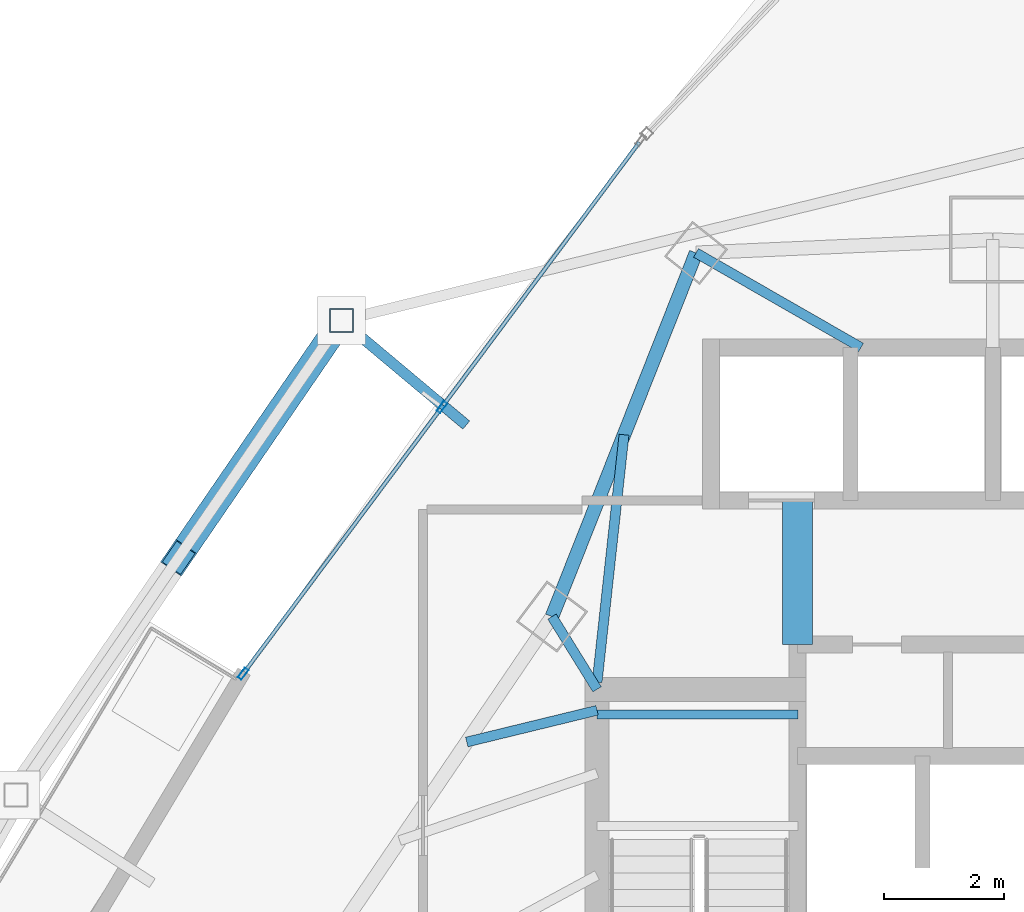
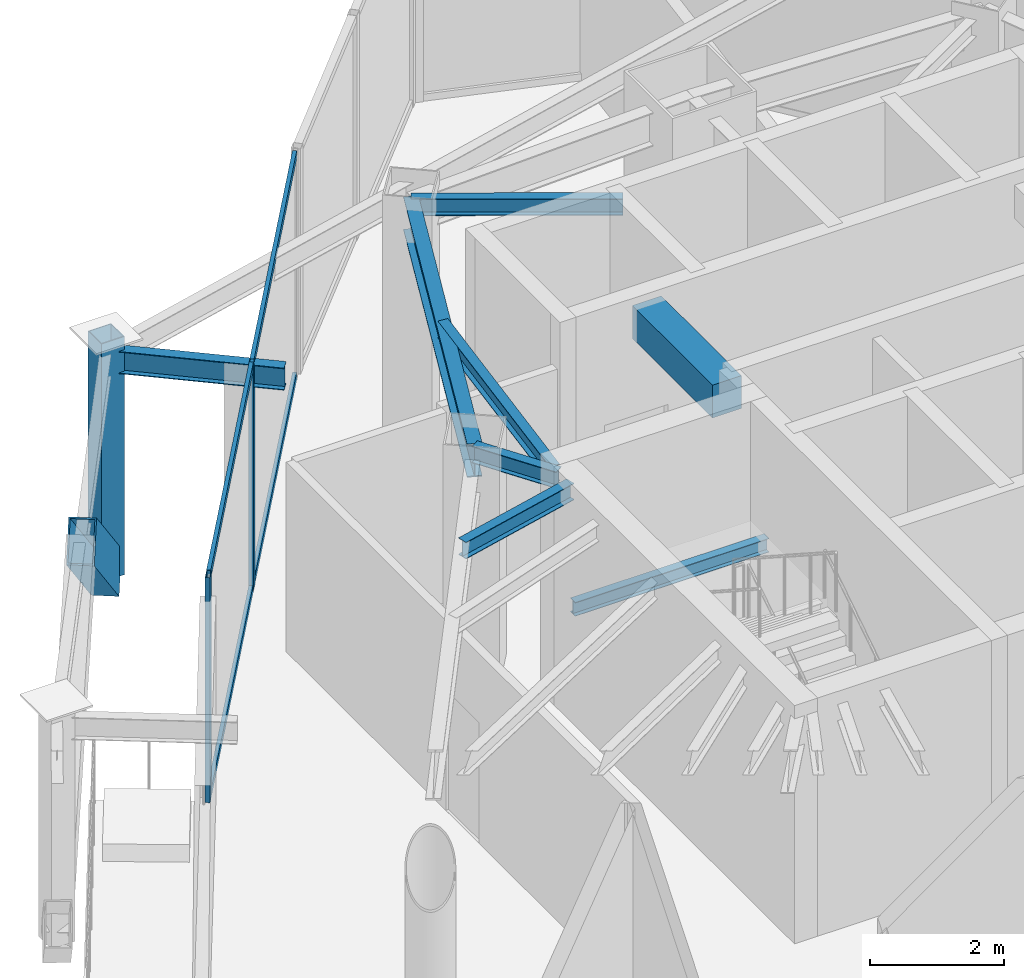
# One storey, part 18 of 28: 8 beams, 8 members, 1 element without a shape of its own.
"""IFC4 building model written with IfcOpenShell, lengths in metres."""

from ifc_helpers import new_model, si_unit, direction, frame, origin, origin_2d, place, context, subcontext, project, spatial, rectangle, hollow_rectangle, i_section, extrude, material, layer, layer_set, material_profile, profile_set, type_object, element, aggregate, save


model = new_model("IFC4")

# Units and contexts
model_context = context("Model", 3, precision=1e-05, world=origin(), true_north=direction((0.0, 1.0)))
body_context = subcontext(model_context, "Body", "Model", "MODEL_VIEW")
ifc_project = project(units=[si_unit("LENGTHUNIT", "METRE"), si_unit("AREAUNIT", "SQUARE_METRE"), si_unit("VOLUMEUNIT", "CUBIC_METRE"), si_unit("PLANEANGLEUNIT", "RADIAN"), si_unit("MASSUNIT", "GRAM", prefix="KILO")], contexts=[model_context])

# Site, building, storey
site_placement = place(None, origin())
site = spatial("IfcSite", under=ifc_project, at=site_placement, CompositionType="ELEMENT")
building_placement = place(site_placement, origin())
building = spatial("IfcBuilding", under=site, at=building_placement, Name="Orvanel Arch Residences", CompositionType="ELEMENT")
storey_placement = place(building_placement, frame((0.0, 0.0, 146.300048828125)))
storey = spatial("IfcBuildingStorey", under=building, at=storey_placement, Name="L41", CompositionType="ELEMENT", Elevation=146.300048828125)

# Beams
ifc_material_1 = material(Name="Structural steel AS/NZS 3679.1 Grade 300 (300 MPa)", Category="steel")
ifc_material_profile_1 = material_profile(ifc_material_1, i_section(OverallWidth=0.14599609375, OverallDepth=0.251953125, WebThickness=0.006103515625, FlangeThickness=0.008544921875, at=origin_2d()), Name="250UB31.4")
ifc_profile_set_1 = profile_set([ifc_material_profile_1], Name="Structural steel AS/NZS 3679.1 Grade 300 (300 MPa)")
beam_type_1 = type_object("IfcBeamType", Name="BJ-250UB", PredefinedType="JOIST", material=ifc_profile_set_1)
beam_1_placement = place(storey_placement, frame((26.39990234375, 33.47998046875, 1.848876953125), z_axis=(1.0, 0.0, 0.0), x_axis=(0.0, 1.0, 0.0)))
element("IfcBeam", 1, at=beam_1_placement, inside=storey, type_object=beam_type_1, Name="L41 ST-1 Half-Landing Support Beam 1.2", PredefinedType="JOIST", context=body_context, shape_type="SweptSolid", body=[
    extrude(i_section(OverallWidth=0.14599609375, OverallDepth=0.251953125, WebThickness=0.006103515625, FlangeThickness=0.008544921875, at=origin_2d()), origin(), (0.0, 0.0, 1.0), 3.35009765625),
])
ifc_material_profile_2 = material_profile(ifc_material_1, i_section(OverallWidth=0.1650390625, OverallDepth=0.303955078125, WebThickness=0.006103515625, FlangeThickness=0.01025390625, at=origin_2d()), Name="310UB40.4")
ifc_profile_set_2 = profile_set([ifc_material_profile_2], Name="Structural steel AS/NZS 3679.1 Grade 300 (300 MPa)")
beam_type_2 = type_object("IfcBeamType", Name="BJ-310UB", PredefinedType="JOIST", material=ifc_profile_set_2)
beam_2_placement = place(storey_placement, frame((26.39990234375, 33.89990234375, 3.9580078125), z_axis=(-0.526843290616, 0.84996243866, 0.0), x_axis=(-0.84996243866, -0.526843290616, 0.0)))
element("IfcBeam", 2, at=beam_2_placement, inside=storey, type_object=beam_type_2, Name="L41 NNW Wing Floor Joist", PredefinedType="JOIST", context=body_context, shape_type="SweptSolid", body=[
    extrude(i_section(OverallWidth=0.1650390625, OverallDepth=0.303955078125, WebThickness=0.006103515625, FlangeThickness=0.01025390625, at=origin_2d()), origin(), (0.0, 0.0, 1.0), 1.42724609375),
])
beam_3_placement = place(storey_placement, frame((26.39990234375, 34.02001953125, 3.9580078125), z_axis=(0.108261441852, 0.99412245735, 0.0), x_axis=(-0.99412245735, 0.108261441852, 0.0)))
element("IfcBeam", 3, at=beam_3_placement, inside=storey, type_object=beam_type_2, Name="L41 NNW2 Wing Floor Joist", PredefinedType="JOIST", context=body_context, shape_type="SweptSolid", body=[
    extrude(i_section(OverallWidth=0.1650390625, OverallDepth=0.303955078125, WebThickness=0.006103515625, FlangeThickness=0.01025390625, at=origin_2d()), origin(), (0.0, 0.0, 1.0), 4.1494140625),
])
beam_4_placement = place(storey_placement, frame((30.800048828125, 39.60009765625, 3.9580078125), z_axis=(-0.86736513383, 0.497672306458, 0.0), x_axis=(-0.497672306458, -0.86736513383, 0.0)))
element("IfcBeam", 4, at=beam_4_placement, inside=storey, type_object=beam_type_2, Name="L41 MNW Wing Floor Joist", PredefinedType="JOIST", context=body_context, shape_type="SweptSolid", body=[
    extrude(i_section(OverallWidth=0.1650390625, OverallDepth=0.303955078125, WebThickness=0.006103515625, FlangeThickness=0.01025390625, at=origin_2d()), origin(), (0.0, 0.0, 1.0), 3.17041015625),
])
beam_5_placement = place(storey_placement, frame((26.39990234375, 33.550048828125, 3.9580078125), z_axis=(-0.971638471014, -0.236471312521, 0.0), x_axis=(0.236471312521, -0.971638471014, 0.0)))
element("IfcBeam", 5, at=beam_5_placement, inside=storey, type_object=beam_type_2, Name="L41 JADD3 Wing Floor Joist", PredefinedType="JOIST", context=body_context, shape_type="SweptSolid", body=[
    extrude(i_section(OverallWidth=0.1650390625, OverallDepth=0.303955078125, WebThickness=0.006103515625, FlangeThickness=0.01025390625, at=origin_2d()), origin(), (0.0, 0.0, 1.0), 2.2373046875),
])

# Member
ifc_material_2 = material(Name="Structural steel AS/NZS 3678 Grade 350", Category="steel")
ifc_material_profile_3 = material_profile(ifc_material_2, hollow_rectangle(XDim=0.419921875, YDim=0.719970703125, WallThickness=0.02490234375, at=origin_2d()), Name="RHS720x420x25")
ifc_profile_set_3 = profile_set([ifc_material_profile_3], Name="Structural steel AS/NZS 3678 Grade 350")
member_type_1 = type_object("IfcMemberType", Name="BR-720RHS-EXT", PredefinedType="BRACE", material=ifc_profile_set_3)
member_1_placement = place(storey_placement, frame((22.135986328125, 40.052001953125, 0.0), z_axis=(-0.438546060062, -0.639592364675, 0.631346941272), x_axis=(0.824747833302, -0.565500673266, 0.0)))
element("IfcMember", 6, at=member_1_placement, inside=storey, type_object=member_type_1, Name="L41 Exterior Sky-Garden V-Frame Chevron F1B1.1", PredefinedType="BRACE", context=body_context, shape_type="SweptSolid", body=[
    extrude(hollow_rectangle(XDim=0.419921875, YDim=0.719970703125, WallThickness=0.02490234375, at=origin_2d()), origin(), (0.0, 0.0, 1.0), 6.188232421875),
])

# Beam
ifc_material_3 = material(Name="Concrete S65 (65 MPa)", Category="concrete")
ifc_material_profile_4 = material_profile(ifc_material_3, rectangle(XDim=0.5, YDim=0.60009765625, at=origin_2d()), Name="RC500x600")
ifc_profile_set_4 = profile_set([ifc_material_profile_4], Name="Concrete S65 (65 MPa)")
beam_type_3 = type_object("IfcBeamType", Name="CB-500x600", PredefinedType="LINTEL", material=ifc_profile_set_4)
beam_6_placement = place(storey_placement, frame((29.739990234375, 34.64990234375, 3.81005859375), z_axis=(0.0, 1.0, 0.0), x_axis=(-1.0, 0.0, 0.0)))
element("IfcBeam", 7, at=beam_6_placement, inside=storey, type_object=beam_type_3, Name="L41 West Core Lobby Coupling Lintel Beam", PredefinedType="LINTEL", context=body_context, shape_type="SweptSolid", body=[
    extrude(rectangle(XDim=0.5, YDim=0.60009765625, at=origin_2d()), origin(), (0.0, 0.0, 1.0), 2.400146484375),
])

# Curtain wall, members
ifc_material_4 = material(Name="Bronze-anodised aluminium AA6063-T6", Category="aluminium")
ifc_layer = layer(ifc_material_4, 0.195068359375)
ifc_layer_set = layer_set([ifc_layer], Name="Bronze-anodised aluminium AA6063-T6")
curtain_wall_type = type_object("IfcCurtainWallType", Name="CW6-COM-SYS", PredefinedType="NOTDEFINED", material=ifc_layer_set)
curtain_wall_placement = place(storey_placement, origin())
curtain_wall = element("IfcCurtainWall", 8, at=curtain_wall_placement, inside=storey, type_object=curtain_wall_type, Name="L41 CW6-COM-SYS Unitised Curtain Wall", PredefinedType="NOTDEFINED")
ifc_material_profile_5 = material_profile(ifc_material_4, hollow_rectangle(XDim=0.074951171875, YDim=0.199951171875, WallThickness=0.0048828125, at=origin_2d()), Name="ALU200x75x5")
ifc_profile_set_5 = profile_set([ifc_material_profile_5], Name="Bronze-anodised aluminium AA6063-T6")
member_type_2 = type_object("IfcMemberType", Name="MUL-200x75", PredefinedType="MULLION", material=ifc_profile_set_5)
member_2_placement = place(storey_placement, frame((23.81201171875, 38.60595703125, 0.0), z_axis=(0.0, 0.0, 1.0), x_axis=(0.801716213377, -0.597704871327, 0.0)))
member_2 = element("IfcMember", 9, at=member_2_placement, type_object=member_type_2, Name="CW-S6 mullion 2", PredefinedType="MULLION", context=body_context, shape_type="SweptSolid", body=[
    extrude(hollow_rectangle(XDim=0.074951171875, YDim=0.199951171875, WallThickness=0.0048828125, at=origin_2d()), origin(), (0.0, 0.0, 1.0), 4.10986328125),
])
member_3_placement = place(storey_placement, frame((20.497314453125, 34.16015625, 0.0), z_axis=(0.0, 0.0, 1.0), x_axis=(0.801716213377, -0.597704871327, 0.0)))
member_3 = element("IfcMember", 10, at=member_3_placement, type_object=member_type_2, Name="CW-S6 mullion 3", PredefinedType="MULLION", context=body_context, shape_type="SweptSolid", body=[
    extrude(hollow_rectangle(XDim=0.074951171875, YDim=0.199951171875, WallThickness=0.0048828125, at=origin_2d()), origin(), (0.0, 0.0, 1.0), 4.10986328125),
])

# Beams
ifc_material_profile_6 = material_profile(ifc_material_1, i_section(OverallWidth=0.177978515625, OverallDepth=0.406005859375, WebThickness=0.0078125, FlangeThickness=0.0126953125, at=origin_2d()), Name="410UB59.7")
ifc_profile_set_6 = profile_set([ifc_material_profile_6], Name="Structural steel AS/NZS 3679.1 Grade 300 (300 MPa)")
beam_type_4 = type_object("IfcBeamType", Name="OB-410UB-EXT", PredefinedType="SPANDREL", material=ifc_profile_set_6)
beam_7_placement = place(storey_placement, frame((24.218017578125, 38.306884765625, 3.906982421875), z_axis=(-0.766391333969, 0.642373974579, 0.0), x_axis=(-0.642373974579, -0.766391333969, 0.0)))
element("IfcBeam", 11, at=beam_7_placement, inside=storey, type_object=beam_type_4, Name="L41 Outer Frame Radial Tie Beam 01", PredefinedType="SPANDREL", context=body_context, shape_type="SweptSolid", body=[
    extrude(i_section(OverallWidth=0.177978515625, OverallDepth=0.406005859375, WebThickness=0.0078125, FlangeThickness=0.0126953125, at=origin_2d()), origin(), (0.0, 0.0, 1.0), 2.716552734375),
])
ifc_material_profile_7 = material_profile(ifc_material_1, i_section(OverallWidth=0.22900390625, OverallDepth=0.612060546875, WebThickness=0.011962890625, FlangeThickness=0.01953125, at=origin_2d()), Name="610UB125")
ifc_profile_set_7 = profile_set([ifc_material_profile_7], Name="Structural steel AS/NZS 3679.1 Grade 300 (300 MPa)")
beam_type_5 = type_object("IfcBeamType", Name="SP-610UB", PredefinedType="SPANDREL", material=ifc_profile_set_7)
beam_8_placement = place(storey_placement, frame((28.050048828125, 41.177978515625, 3.803955078125), z_axis=(-0.368233143579, -0.929733484376, 0.0), x_axis=(0.929733484376, -0.368233143579, 0.0)))
element("IfcBeam", 12, at=beam_8_placement, inside=storey, type_object=beam_type_5, Name="L41 Perimeter Spandrel Beam 16", PredefinedType="SPANDREL", context=body_context, shape_type="SweptSolid", body=[
    extrude(i_section(OverallWidth=0.22900390625, OverallDepth=0.612060546875, WebThickness=0.011962890625, FlangeThickness=0.01953125, at=origin_2d()), origin(), (0.0, 0.0, 1.0), 6.523193359375),
])

# Member
ifc_material_5 = material(Name="Structural steel AS/NZS 1163 C450L0 (Grade 450)", Category="steel")
ifc_material_profile_8 = material_profile(ifc_material_5, hollow_rectangle(XDim=0.39990234375, YDim=0.39990234375, WallThickness=0.01611328125, at=origin_2d()), Name="SHS400x400x16")
ifc_profile_set_8 = profile_set([ifc_material_profile_8], Name="Structural steel AS/NZS 1163 C450L0 (Grade 450)")
member_type_3 = type_object("IfcMemberType", Name="ST-400SHS-EXT", PredefinedType="STRUT", material=ifc_profile_set_8)
member_4_placement = place(storey_placement, frame((22.135986328125, 40.052001953125, 0.0), z_axis=(0.0, 0.0, 1.0), x_axis=(1.0, 0.0, 0.0)))
element("IfcMember", 13, at=member_4_placement, inside=storey, type_object=member_type_3, Name="L41 Outer Perimeter Frame Post 01", PredefinedType="STRUT", context=body_context, shape_type="SweptSolid", body=[
    extrude(hollow_rectangle(XDim=0.39990234375, YDim=0.39990234375, WallThickness=0.01611328125, at=origin_2d()), origin(), (0.0, 0.0, 1.0), 4.349853515625),
])

ifc_material_profile_9 = material_profile(ifc_material_4, hollow_rectangle(XDim=0.06494140625, YDim=0.14990234375, WallThickness=0.00390625, at=origin_2d()), Name="ALU150x65x4")
ifc_profile_set_9 = profile_set([ifc_material_profile_9], Name="Bronze-anodised aluminium AA6063-T6")
member_type_4 = type_object("IfcMemberType", Name="TRN-150x65", PredefinedType="USERDEFINED", material=ifc_profile_set_9)
member_5_placement = place(storey_placement, frame((27.104248046875, 43.02197265625, 0.032470703125), z_axis=(-0.597691176467, -0.801726423148, 0.0), x_axis=(0.801726423148, -0.597691176467, 0.0)))
member_5 = element("IfcMember", 14, at=member_5_placement, type_object=member_type_4, Name="CW-S6 transom 1.1", ObjectType="TRANSOM", PredefinedType="USERDEFINED", context=body_context, shape_type="SweptSolid", body=[
    extrude(hollow_rectangle(XDim=0.06494140625, YDim=0.14990234375, WallThickness=0.00390625, at=origin_2d()), origin(), (0.0, 0.0, 1.0), 5.470703125),
])

member_6_placement = place(storey_placement, frame((27.104248046875, 43.02197265625, 4.077392578125), z_axis=(-0.597691176467, -0.801726423148, 0.0), x_axis=(0.801726423148, -0.597691176467, 0.0)))
member_6 = element("IfcMember", 15, at=member_6_placement, type_object=member_type_4, Name="CW-S6 transom 1.2", ObjectType="TRANSOM", PredefinedType="USERDEFINED", context=body_context, shape_type="SweptSolid", body=[
    extrude(hollow_rectangle(XDim=0.06494140625, YDim=0.14990234375, WallThickness=0.00390625, at=origin_2d()), origin(), (0.0, 0.0, 1.0), 5.470703125),
])

member_7_placement = place(storey_placement, frame((23.78955078125, 38.575927734375, 0.032470703125), z_axis=(-0.597712561663, -0.801710479931, 0.0), x_axis=(0.801710479931, -0.597712561663, 0.0)))
member_7 = element("IfcMember", 16, at=member_7_placement, type_object=member_type_4, Name="CW-S6 transom 2.1", ObjectType="TRANSOM", PredefinedType="USERDEFINED", context=body_context, shape_type="SweptSolid", body=[
    extrude(hollow_rectangle(XDim=0.06494140625, YDim=0.14990234375, WallThickness=0.00390625, at=origin_2d()), origin(), (0.0, 0.0, 1.0), 5.470458984375),
])

member_8_placement = place(storey_placement, frame((23.78955078125, 38.575927734375, 4.077392578125), z_axis=(-0.597712561663, -0.801710479931, 0.0), x_axis=(0.801710479931, -0.597712561663, 0.0)))
member_8 = element("IfcMember", 17, at=member_8_placement, type_object=member_type_4, Name="CW-S6 transom 2.2", ObjectType="TRANSOM", PredefinedType="USERDEFINED", context=body_context, shape_type="SweptSolid", body=[
    extrude(hollow_rectangle(XDim=0.06494140625, YDim=0.14990234375, WallThickness=0.00390625, at=origin_2d()), origin(), (0.0, 0.0, 1.0), 5.470458984375),
])

aggregate(curtain_wall, [member_2, member_3, member_5, member_6, member_7, member_8])

save(model, "model.ifc")
